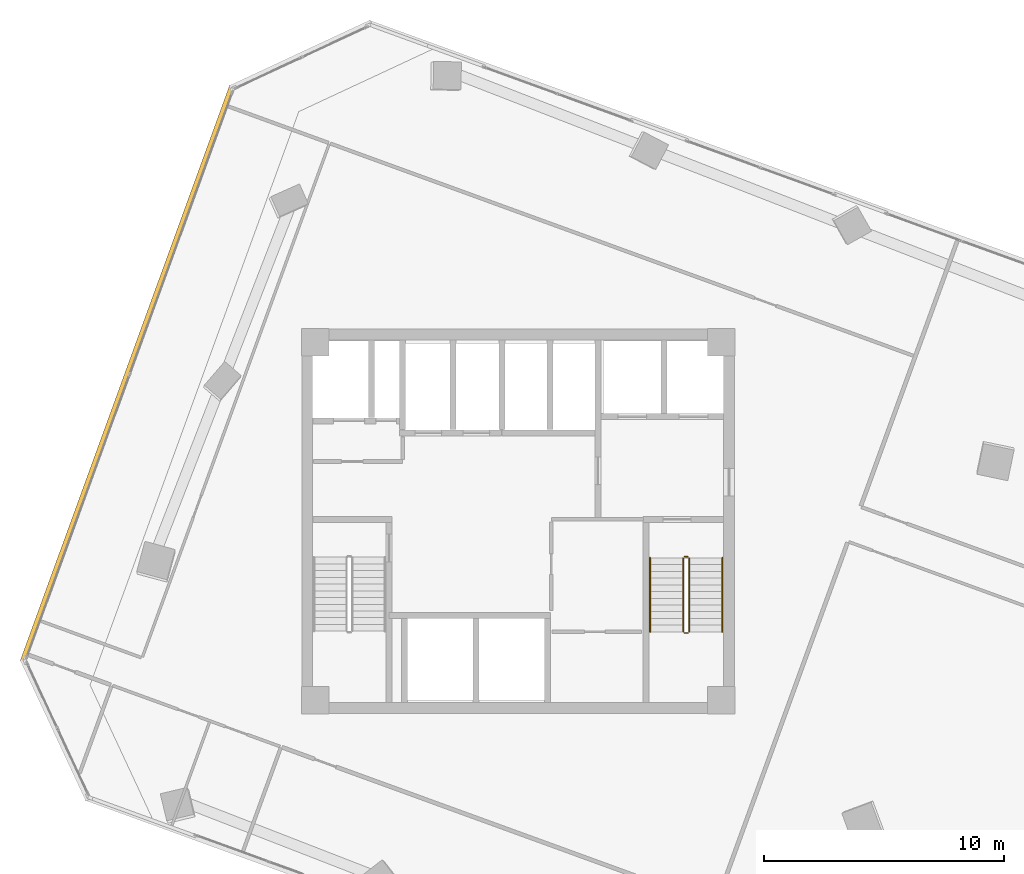
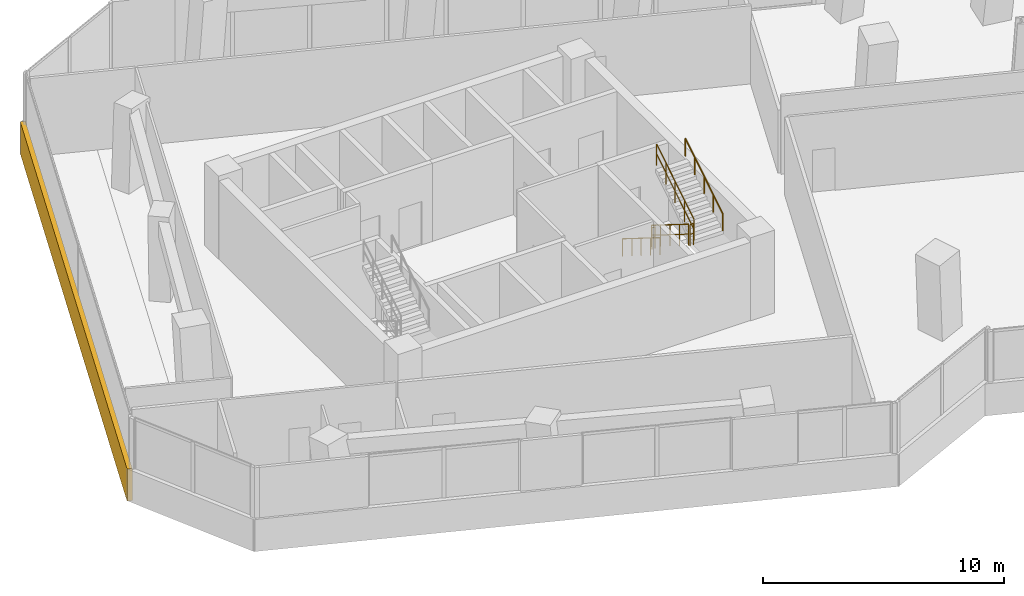
# One storey, part 19 of 21: 6 railings, 1 covering.
"""IFC4 building model written with IfcOpenShell, lengths in metres."""

from ifc_helpers import new_model, si_unit, direction, frame, origin, origin_2d, place, context, subcontext, project, spatial, rectangle, circle, extrude, source, transform, mapped, material, layer, layer_set, type_object, element, save


model = new_model("IFC4")

# Units and contexts
model_context = context("Model", 3, precision=1e-05, world=origin(), true_north=direction((0.0, 1.0)))
body_context = subcontext(model_context, "Body", "Model", "MODEL_VIEW")
ifc_project = project(units=[si_unit("LENGTHUNIT", "METRE"), si_unit("AREAUNIT", "SQUARE_METRE"), si_unit("VOLUMEUNIT", "CUBIC_METRE"), si_unit("PLANEANGLEUNIT", "RADIAN"), si_unit("MASSUNIT", "GRAM", prefix="KILO")], contexts=[model_context])

# Site, building, storey
site_placement = place(None, origin())
site = spatial("IfcSite", under=ifc_project, at=site_placement, CompositionType="ELEMENT")
building_placement = place(site_placement, origin())
building = spatial("IfcBuilding", under=site, at=building_placement, Name="Torre Montelarca", CompositionType="ELEMENT")
storey_placement = place(building_placement, frame((0.0, 0.0, 133.0)))
storey = spatial("IfcBuildingStorey", under=building, at=storey_placement, Name="L29", CompositionType="ELEMENT", Elevation=133.0)

# Railings
ifc_material_1 = material(Name="Powder-coated steel ASTM A500 Grade C", Category="steel")
railing_type_1 = type_object("IfcRailingType", Name="RL-GUARD-1100", PredefinedType="BALUSTRADE", material=ifc_material_1)
railing_1_placement = place(storey_placement, frame((24.8701171875, 30.469970703125, 0.175048828125)))
element("IfcRailing", 1, at=railing_1_placement, inside=storey, type_object=railing_type_1, Name="L29 ST2 stair guard 1", PredefinedType="BALUSTRADE", context=body_context, shape_type="SweptSolid", body=[
    extrude(circle(Radius=0.02392578125, at=origin_2d()), frame((0.0, 0.0, 1.076171875), z_axis=(0.0, -0.847998304005, 0.529998940003), x_axis=(1.0, 0.0, 0.0)), (0.0, 0.0, 1.0), 3.632080078125),
    extrude(circle(Radius=0.02099609375, at=origin_2d()), frame((0.0, 0.0, 0.572021484375), z_axis=(0.0, -0.847998304005, 0.529998940003), x_axis=(1.0, 0.0, 0.0)), (0.0, 0.0, 1.0), 3.632080078125),
    extrude(circle(Radius=0.02099609375, at=origin_2d()), origin(), (0.0, 0.0, 1.0), 1.052001953125),
    extrude(circle(Radius=0.02099609375, at=origin_2d()), frame((0.0, -0.77001953125, 0.481201171875)), (0.0, 0.0, 1.0), 1.052001953125),
    extrude(circle(Radius=0.02099609375, at=origin_2d()), frame((0.0, -1.5400390625, 0.96240234375)), (0.0, 0.0, 1.0), 1.052001953125),
    extrude(circle(Radius=0.02099609375, at=origin_2d()), frame((0.0, -2.31005859375, 1.44384765625)), (0.0, 0.0, 1.0), 1.052001953125),
    extrude(circle(Radius=0.02099609375, at=origin_2d()), frame((0.0, -3.080078125, 1.925048828125)), (0.0, 0.0, 1.0), 1.052001953125),
])
railing_2_placement = place(storey_placement, frame((24.919921875, 27.340087890625, 2.10009765625)))
element("IfcRailing", 2, at=railing_2_placement, inside=storey, type_object=railing_type_1, Name="L29 ST2 stair guard 2", PredefinedType="BALUSTRADE", context=body_context, shape_type="SweptSolid", body=[
    extrude(circle(Radius=0.02392578125, at=origin_2d()), frame((0.0, 0.0, 1.076171875), z_axis=(1.0, 0.0, 0.0), x_axis=(0.0, 1.0, 0.0)), (0.0, 0.0, 1.0), 0.150146484375),
    extrude(circle(Radius=0.02099609375, at=origin_2d()), frame((0.0, 0.0, 0.572021484375), z_axis=(1.0, 0.0, 0.0), x_axis=(0.0, 1.0, 0.0)), (0.0, 0.0, 1.0), 0.150146484375),
    extrude(circle(Radius=0.02099609375, at=origin_2d()), origin(), (0.0, 0.0, 1.0), 1.052001953125),
    extrude(circle(Radius=0.02099609375, at=origin_2d()), frame((0.150146484375, 0.0, 0.0)), (0.0, 0.0, 1.0), 1.052001953125),
])
railing_3_placement = place(storey_placement, frame((25.1201171875, 27.389892578125, 2.27490234375)))
element("IfcRailing", 3, at=railing_3_placement, inside=storey, type_object=railing_type_1, Name="L29 ST2 stair guard 3", PredefinedType="BALUSTRADE", context=body_context, shape_type="SweptSolid", body=[
    extrude(circle(Radius=0.02392578125, at=origin_2d()), frame((0.0, 0.0, 1.076171875), z_axis=(0.0, 0.847998304005, 0.529998940003), x_axis=(-1.0, 0.0, 0.0)), (0.0, 0.0, 1.0), 3.632080078125),
    extrude(circle(Radius=0.02099609375, at=origin_2d()), frame((0.0, 0.0, 0.572021484375), z_axis=(0.0, 0.847998304005, 0.529998940003), x_axis=(-1.0, 0.0, 0.0)), (0.0, 0.0, 1.0), 3.632080078125),
    extrude(circle(Radius=0.02099609375, at=origin_2d()), origin(), (0.0, 0.0, 1.0), 1.052001953125),
    extrude(circle(Radius=0.02099609375, at=origin_2d()), frame((0.0, 0.77001953125, 0.481201171875)), (0.0, 0.0, 1.0), 1.052001953125),
    extrude(circle(Radius=0.02099609375, at=origin_2d()), frame((0.0, 1.5400390625, 0.96240234375)), (0.0, 0.0, 1.0), 1.052001953125),
    extrude(circle(Radius=0.02099609375, at=origin_2d()), frame((0.0, 2.31005859375, 1.44384765625)), (0.0, 0.0, 1.0), 1.052001953125),
    extrude(circle(Radius=0.02099609375, at=origin_2d()), frame((0.0, 3.080078125, 1.925048828125)), (0.0, 0.0, 1.0), 1.052001953125),
])
railing_4_placement = place(storey_placement, frame((24.919921875, 30.52001953125, 0.0)))
element("IfcRailing", 4, at=railing_4_placement, inside=storey, type_object=railing_type_1, Name="L29 ST2 stair guard 4", PredefinedType="BALUSTRADE", context=body_context, shape_type="SweptSolid", body=[
    extrude(circle(Radius=0.02392578125, at=origin_2d()), frame((0.0, 0.0, 1.076171875), z_axis=(1.0, 0.0, 0.0), x_axis=(0.0, 1.0, 0.0)), (0.0, 0.0, 1.0), 0.150146484375),
    extrude(circle(Radius=0.02099609375, at=origin_2d()), frame((0.0, 0.0, 0.572021484375), z_axis=(1.0, 0.0, 0.0), x_axis=(0.0, 1.0, 0.0)), (0.0, 0.0, 1.0), 0.150146484375),
    extrude(circle(Radius=0.02099609375, at=origin_2d()), origin(), (0.0, 0.0, 1.0), 1.052001953125),
    extrude(circle(Radius=0.02099609375, at=origin_2d()), frame((0.150146484375, 0.0, 0.0)), (0.0, 0.0, 1.0), 1.052001953125),
])
ifc_material_2 = material(Name="Brushed stainless steel AISI 316", Category="steel")
railing_type_2 = type_object("IfcRailingType", Name="RL-HANDRAIL-900", PredefinedType="HANDRAIL", material=ifc_material_2)
railing_5_placement = place(storey_placement, frame((23.489990234375, 30.469970703125, 0.175048828125)))
element("IfcRailing", 5, at=railing_5_placement, inside=storey, type_object=railing_type_2, Name="L29 ST2 stair handrail 1", PredefinedType="HANDRAIL", context=body_context, shape_type="SweptSolid", body=[
    extrude(circle(Radius=0.02392578125, at=origin_2d()), frame((0.0, 0.0, 0.8759765625), z_axis=(0.0, -0.847998304005, 0.529998940003), x_axis=(1.0, 0.0, 0.0)), (0.0, 0.0, 1.0), 3.632080078125),
    extrude(circle(Radius=0.02099609375, at=origin_2d()), origin(), (0.0, 0.0, 1.0), 0.851806640625),
    extrude(circle(Radius=0.02099609375, at=origin_2d()), frame((0.0, -0.77001953125, 0.481201171875)), (0.0, 0.0, 1.0), 0.851806640625),
    extrude(circle(Radius=0.02099609375, at=origin_2d()), frame((0.0, -1.5400390625, 0.96240234375)), (0.0, 0.0, 1.0), 0.851806640625),
    extrude(circle(Radius=0.02099609375, at=origin_2d()), frame((0.0, -2.31005859375, 1.44384765625)), (0.0, 0.0, 1.0), 0.851806640625),
    extrude(circle(Radius=0.02099609375, at=origin_2d()), frame((0.0, -3.080078125, 1.925048828125)), (0.0, 0.0, 1.0), 0.851806640625),
])
railing_6_placement = place(storey_placement, frame((26.5, 27.389892578125, 2.27490234375)))
element("IfcRailing", 6, at=railing_6_placement, inside=storey, type_object=railing_type_2, Name="L29 ST2 stair handrail 2", PredefinedType="HANDRAIL", context=body_context, shape_type="SweptSolid", body=[
    extrude(circle(Radius=0.02392578125, at=origin_2d()), frame((0.0, 0.0, 0.8759765625), z_axis=(0.0, 0.847998304005, 0.529998940003), x_axis=(-1.0, 0.0, 0.0)), (0.0, 0.0, 1.0), 3.632080078125),
    extrude(circle(Radius=0.02099609375, at=origin_2d()), origin(), (0.0, 0.0, 1.0), 0.851806640625),
    extrude(circle(Radius=0.02099609375, at=origin_2d()), frame((0.0, 0.77001953125, 0.481201171875)), (0.0, 0.0, 1.0), 0.851806640625),
    extrude(circle(Radius=0.02099609375, at=origin_2d()), frame((0.0, 1.5400390625, 0.96240234375)), (0.0, 0.0, 1.0), 0.851806640625),
    extrude(circle(Radius=0.02099609375, at=origin_2d()), frame((0.0, 2.31005859375, 1.44384765625)), (0.0, 0.0, 1.0), 0.851806640625),
    extrude(circle(Radius=0.02099609375, at=origin_2d()), frame((0.0, 3.080078125, 1.925048828125)), (0.0, 0.0, 1.0), 0.851806640625),
])

# Covering
ifc_material_3 = material(Name="Bush-hammered warm white precast concrete C45/55", Category="concrete")
ifc_layer = layer(ifc_material_3, 0.139892578125, Name="Bush-hammered warm white precast concrete C45/55", Category="concrete")
ifc_layer_set = layer_set([ifc_layer], Name="Bush-hammered warm white precast concrete C45/55")
covering_type = type_object("IfcCoveringType", Name="COV-TRAY-CLAD", PredefinedType="CLADDING", material=ifc_layer_set)
shared_shape = source(origin(), body_context, "Body", "SweptSolid", [
    extrude(rectangle(XDim=25.52001953125, YDim=0.219970703125, at=origin_2d()), origin(), (0.0, 0.0, 1.0), 1.6201171875),
])
covering_placement = place(storey_placement, frame((1.734619140625, 38.1298828125, -0.449951171875), z_axis=(0.0, 0.0, 1.0), x_axis=(-0.342020143326, -0.939692620786, 0.0)))
element("IfcCovering", 7, at=covering_placement, inside=storey, type_object=covering_type, Name="L29 Architectural White Spandrel Tray Band TRYBOT-10", PredefinedType="CLADDING", context=body_context, shape_type="MappedRepresentation", body=[
    mapped(shared_shape, transform((0.0, 0.0, 0.0), scale=1.0)),
])

save(model, "model.ifc")
